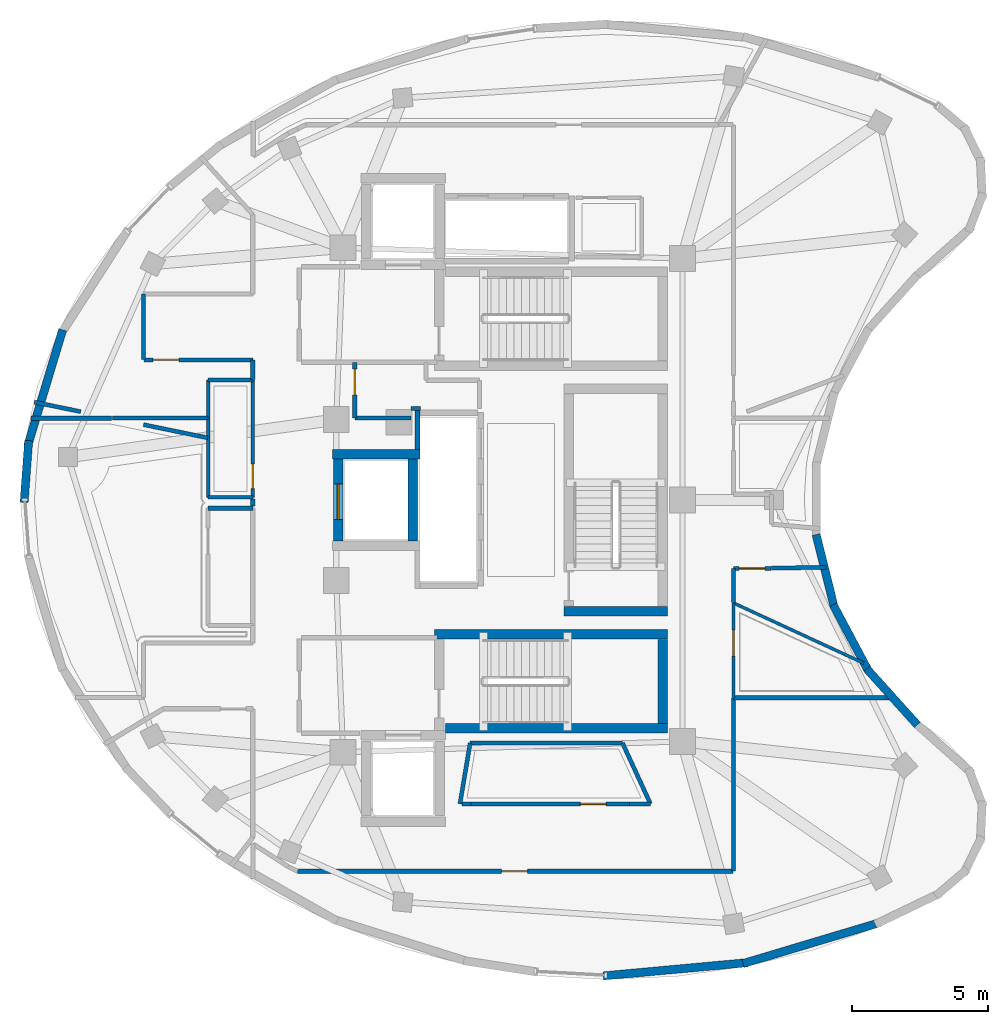
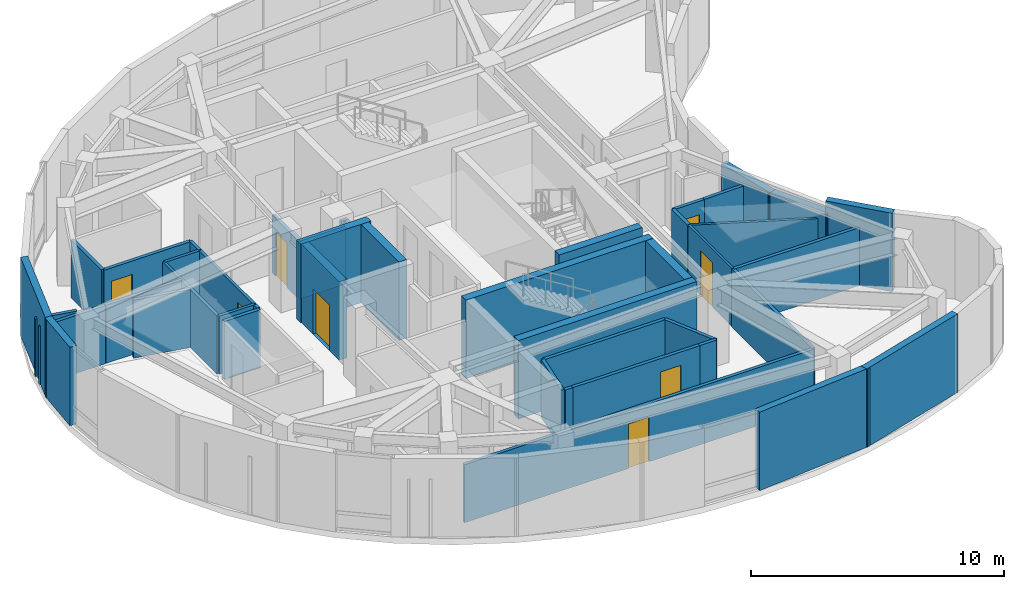
# One storey, part 4 of 8: 45 walls, 8 doors, 8 openings.
"""IFC4 building model written with IfcOpenShell, lengths in metres."""

from ifc_helpers import new_model, si_unit, direction, frame, frame_2d, origin, place, context, subcontext, project, spatial, rectangle, extrude, material, layer, layer_set, type_object, element, fill, save


model = new_model("IFC4")

# Units and contexts
model_context = context("Model", 3, precision=1e-05, world=origin(), true_north=direction((0.0, 1.0)))
body_context = subcontext(model_context, "Body", "Model", "MODEL_VIEW")
ifc_project = project(units=[si_unit("LENGTHUNIT", "METRE"), si_unit("AREAUNIT", "SQUARE_METRE"), si_unit("VOLUMEUNIT", "CUBIC_METRE"), si_unit("PLANEANGLEUNIT", "RADIAN"), si_unit("MASSUNIT", "GRAM", prefix="KILO")], contexts=[model_context])

# Site, building, storey
site_placement = place(None, origin())
site = spatial("IfcSite", under=ifc_project, at=site_placement, CompositionType="ELEMENT")
building_placement = place(site_placement, origin())
building = spatial("IfcBuilding", under=site, at=building_placement, Name="Korentha Bioscience Tower", CompositionType="ELEMENT")
storey_placement = place(building_placement, frame((0.0, 0.0, 318.60009765625)))
storey = spatial("IfcBuildingStorey", under=building, at=storey_placement, Name="L73", CompositionType="ELEMENT", Elevation=318.60009765625)

# Wall, opening, door
ifc_material_1 = material(Name="Double-Stud Acoustic Gypsum", Category="gypsum")
ifc_layer_1 = layer(ifc_material_1, 0.14990234375, Name="Double-Stud Acoustic Gypsum")
ifc_layer_set_1 = layer_set([ifc_layer_1], Name="Double-Stud Acoustic Gypsum (IW-L150)")
wall_type_1 = type_object("IfcWallType", Name="Acoustic Laboratory Partition Wall 150", PredefinedType="PARTITIONING", material=ifc_layer_set_1)
wall_1_placement = place(storey_placement, frame((35.60009765625, 15.860107421875, 0.0), z_axis=(0.0, 0.0, 1.0), x_axis=(-1.0, 0.0, 0.0)))
wall_1 = element("IfcWall", 1, at=wall_1_placement, inside=storey, type_object=wall_type_1, Name="L73 Biomechanical Motion Analysis Lab 02 Entrance Wall", PredefinedType="PARTITIONING", context=body_context, shape_type="SweptSolid", body=[
    extrude(rectangle(XDim=5.800048828125, YDim=0.14990234375, at=frame_2d((2.89990234375, 0.0))), origin(), (0.0, 0.0, 1.0), 2.7998046875),
])
opening_1_placement = place(wall_1_placement, frame((0.85009765625, 0.0, 0.0)))
opening_1 = element("IfcOpeningElement", 2, at=opening_1_placement, cuts=wall_1, Name="Opening ID-10R", PredefinedType="OPENING", context=body_context, shape_type="SweptSolid", body=[
    extrude(rectangle(XDim=0.949951171875, YDim=2.14990234375, at=frame_2d((0.47509765625, 1.074951171875))), frame((0.0, 0.08984375, 0.0), z_axis=(0.0, -1.0, 0.0), x_axis=(1.0, 0.0, 0.0)), (0.0, 0.0, 1.0), 0.1796875),
])
ifc_material_2 = material(Name="Phenolic Laminate Timber Core", Category="wood")
door_type_1 = type_object("IfcDoorType", Name="Laboratory Single Leaf Door 950x2150 Right", OperationType="SINGLE_SWING_RIGHT", PredefinedType="DOOR", material=ifc_material_2)
door_1_placement = place(opening_1_placement, origin())
door_1 = element("IfcDoor", 3, at=door_1_placement, inside=storey, type_object=door_type_1, Name="L73 Biomechanical Motion Analysis Lab 02 Door", OperationType="SINGLE_SWING_RIGHT", OverallHeight=2.14990234375, OverallWidth=0.949951171875, PredefinedType="DOOR", context=body_context, shape_type="SweptSolid", body=[
    extrude(rectangle(XDim=0.949951171875, YDim=2.14990234375, at=frame_2d((0.47509765625, 1.074951171875))), frame((0.0, 0.02490234375, 0.0), z_axis=(0.0, -1.0, 0.0), x_axis=(1.0, 0.0, 0.0)), (0.0, 0.0, 1.0), 0.050048828125),
])
fill(opening_1, door_1)

wall_2_placement = place(storey_placement, frame((23.43505859375, 13.389892578125, 0.0), z_axis=(0.0, 0.0, 1.0), x_axis=(1.0, 0.0, 0.0)))
wall_2 = element("IfcWall", 4, at=wall_2_placement, inside=storey, type_object=wall_type_1, Name="L73 Principal Investigator Office 03 Entrance Wall", PredefinedType="PARTITIONING", context=body_context, shape_type="SweptSolid", body=[
    extrude(rectangle(XDim=15.96484375, YDim=0.14990234375, at=frame_2d((7.982421875, 0.0))), origin(), (0.0, 0.0, 1.0), 2.7998046875),
])
opening_2_placement = place(wall_2_placement, frame((7.478271484375, 0.0, 0.0)))
opening_2 = element("IfcOpeningElement", 5, at=opening_2_placement, cuts=wall_2, Name="Opening ID-10L", PredefinedType="OPENING", context=body_context, shape_type="SweptSolid", body=[
    extrude(rectangle(XDim=0.949951171875, YDim=2.14990234375, at=frame_2d((0.47509765625, 1.074951171875))), frame((0.0, 0.08984375, 0.0), z_axis=(0.0, -1.0, 0.0), x_axis=(1.0, 0.0, 0.0)), (0.0, 0.0, 1.0), 0.1796875),
])
door_type_2 = type_object("IfcDoorType", Name="Laboratory Single Leaf Door 950x2150 Left", OperationType="SINGLE_SWING_LEFT", PredefinedType="DOOR", material=ifc_material_2)
door_2_placement = place(opening_2_placement, origin())
door_2 = element("IfcDoor", 6, at=door_2_placement, inside=storey, type_object=door_type_2, Name="L73 Principal Investigator Office 03 Door", OperationType="SINGLE_SWING_LEFT", OverallHeight=2.14990234375, OverallWidth=0.949951171875, PredefinedType="DOOR", context=body_context, shape_type="SweptSolid", body=[
    extrude(rectangle(XDim=0.949951171875, YDim=2.14990234375, at=frame_2d((0.47509765625, 1.074951171875))), frame((0.0, 0.02490234375, 0.0), z_axis=(0.0, -1.0, 0.0), x_axis=(1.0, 0.0, 0.0)), (0.0, 0.0, 1.0), 0.050048828125),
])
fill(opening_2, door_2)

wall_3_placement = place(storey_placement, frame((39.409912109375, 24.489990234375, 0.0), z_axis=(0.0, 0.0, 1.0), x_axis=(1.0, 0.0, 0.0)))
wall_3 = element("IfcWall", 7, at=wall_3_placement, inside=storey, type_object=wall_type_1, Name="L73 VIP Horizon Reception Suite 05 Entrance Wall", PredefinedType="PARTITIONING", context=body_context, shape_type="SweptSolid", body=[
    extrude(rectangle(XDim=1.39013671875, YDim=0.14990234375, at=frame_2d((0.695068359375, 0.0))), origin(), (0.0, 0.0, 1.0), 2.7998046875),
])
opening_3_placement = place(wall_3_placement, frame((0.2099609375, 0.0, 0.0)))
opening_3 = element("IfcOpeningElement", 8, at=opening_3_placement, cuts=wall_3, Name="Opening ID-10L", PredefinedType="OPENING", context=body_context, shape_type="SweptSolid", body=[
    extrude(rectangle(XDim=0.949951171875, YDim=2.14990234375, at=frame_2d((0.47509765625, 1.074951171875))), frame((0.0, 0.08984375, 0.0), z_axis=(0.0, -1.0, 0.0), x_axis=(1.0, 0.0, 0.0)), (0.0, 0.0, 1.0), 0.1796875),
])
door_3_placement = place(opening_3_placement, origin())
door_3 = element("IfcDoor", 9, at=door_3_placement, inside=storey, type_object=door_type_2, Name="L73 VIP Horizon Reception Suite 05 Door", OperationType="SINGLE_SWING_LEFT", OverallHeight=2.14990234375, OverallWidth=0.949951171875, PredefinedType="DOOR", context=body_context, shape_type="SweptSolid", body=[
    extrude(rectangle(XDim=0.949951171875, YDim=2.14990234375, at=frame_2d((0.47509765625, 1.074951171875))), frame((0.0, 0.02490234375, 0.0), z_axis=(0.0, -1.0, 0.0), x_axis=(1.0, 0.0, 0.0)), (0.0, 0.0, 1.0), 0.050048828125),
])
fill(opening_3, door_3)

wall_4_placement = place(storey_placement, frame((25.530029296875, 30.001953125, 0.0), z_axis=(0.0, 0.0, 1.0), x_axis=(0.0, 1.0, 0.0)))
wall_4 = element("IfcWall", 10, at=wall_4_placement, inside=storey, type_object=wall_type_1, Name="L73 Public Panoramic Observation Deck Gallery 09 Entrance Wall", PredefinedType="PARTITIONING", context=body_context, shape_type="SweptSolid", body=[
    extrude(rectangle(XDim=2.0380859375, YDim=0.14990234375, at=frame_2d((1.01904296875, 0.0))), origin(), (0.0, 0.0, 1.0), 2.7998046875),
])
opening_4_placement = place(wall_4_placement, frame((0.847900390625, 0.0, 0.0)))
opening_4 = element("IfcOpeningElement", 11, at=opening_4_placement, cuts=wall_4, Name="Opening ID-10L", PredefinedType="OPENING", context=body_context, shape_type="SweptSolid", body=[
    extrude(rectangle(XDim=0.949951171875, YDim=2.14990234375, at=frame_2d((0.47509765625, 1.074951171875))), frame((0.0, 0.08984375, 0.0), z_axis=(0.0, -1.0, 0.0), x_axis=(1.0, 0.0, 0.0)), (0.0, 0.0, 1.0), 0.1796875),
])
door_4_placement = place(opening_4_placement, origin())
door_4 = element("IfcDoor", 12, at=door_4_placement, inside=storey, type_object=door_type_2, Name="L73 Public Panoramic Observation Deck Gallery 09 Door", OperationType="SINGLE_SWING_LEFT", OverallHeight=2.14990234375, OverallWidth=0.949951171875, PredefinedType="DOOR", context=body_context, shape_type="SweptSolid", body=[
    extrude(rectangle(XDim=0.949951171875, YDim=2.14990234375, at=frame_2d((0.47509765625, 1.074951171875))), frame((0.0, 0.02490234375, 0.0), z_axis=(0.0, -1.0, 0.0), x_axis=(1.0, 0.0, 0.0)), (0.0, 0.0, 1.0), 0.050048828125),
])
fill(opening_4, door_4)

wall_5_placement = place(storey_placement, frame((17.800048828125, 32.139892578125, 0.0), z_axis=(0.0, 0.0, 1.0), x_axis=(1.0, 0.0, 0.0)))
wall_5 = element("IfcWall", 13, at=wall_5_placement, inside=storey, type_object=wall_type_1, Name="L73 Bioscience Discovery Exhibition Hall 10 Entrance Wall", PredefinedType="PARTITIONING", context=body_context, shape_type="SweptSolid", body=[
    extrude(rectangle(XDim=3.989990234375, YDim=0.14990234375, at=frame_2d((1.9951171875, 0.0))), origin(), (0.0, 0.0, 1.0), 2.7998046875),
])
opening_5_placement = place(wall_5_placement, frame((0.330078125, 0.0, 0.0)))
opening_5 = element("IfcOpeningElement", 14, at=opening_5_placement, cuts=wall_5, Name="Opening ID-10R", PredefinedType="OPENING", context=body_context, shape_type="SweptSolid", body=[
    extrude(rectangle(XDim=0.949951171875, YDim=2.14990234375, at=frame_2d((0.47509765625, 1.074951171875))), frame((0.0, 0.08984375, 0.0), z_axis=(0.0, -1.0, 0.0), x_axis=(1.0, 0.0, 0.0)), (0.0, 0.0, 1.0), 0.1796875),
])
door_5_placement = place(opening_5_placement, origin())
door_5 = element("IfcDoor", 15, at=door_5_placement, inside=storey, type_object=door_type_1, Name="L73 Bioscience Discovery Exhibition Hall 10 Door", OperationType="SINGLE_SWING_RIGHT", OverallHeight=2.14990234375, OverallWidth=0.949951171875, PredefinedType="DOOR", context=body_context, shape_type="SweptSolid", body=[
    extrude(rectangle(XDim=0.949951171875, YDim=2.14990234375, at=frame_2d((0.47509765625, 1.074951171875))), frame((0.0, 0.02490234375, 0.0), z_axis=(0.0, -1.0, 0.0), x_axis=(1.0, 0.0, 0.0)), (0.0, 0.0, 1.0), 0.050048828125),
])
fill(opening_5, door_5)

# Walls
wall_6_placement = place(storey_placement, frame((29.7607421875, 18.090087890625, 0.0), z_axis=(0.0, 0.0, 1.0), x_axis=(1.0, 0.0, 0.0)))
element("IfcWall", 16, at=wall_6_placement, inside=storey, type_object=wall_type_1, Name="L73 Interior Partition 025", PredefinedType="PARTITIONING", context=body_context, shape_type="SweptSolid", body=[
    extrude(rectangle(XDim=5.5849609375, YDim=0.14990234375, at=frame_2d((2.79248046875, 0.0))), origin(), (0.0, 0.0, 1.0), 2.7998046875),
])
wall_7_placement = place(storey_placement, frame((35.345703125, 18.090087890625, 0.0), z_axis=(0.0, 0.0, 1.0), x_axis=(0.417853067345, -0.908514619646, 0.0)))
element("IfcWall", 17, at=wall_7_placement, inside=storey, type_object=wall_type_1, Name="L73 Interior Partition 026", PredefinedType="PARTITIONING", context=body_context, shape_type="SweptSolid", body=[
    extrude(rectangle(XDim=2.45458984375, YDim=0.14990234375, at=frame_2d((1.227294921875, 0.0))), origin(), (0.0, 0.0, 1.0), 2.7998046875),
])
wall_8_placement = place(storey_placement, frame((36.371337890625, 15.860107421875, 0.0), z_axis=(0.0, 0.0, 1.0), x_axis=(-1.0, 0.0, 0.0)))
element("IfcWall", 18, at=wall_8_placement, inside=storey, type_object=wall_type_1, Name="L73 Interior Partition 027", PredefinedType="PARTITIONING", context=body_context, shape_type="SweptSolid", body=[
    extrude(rectangle(XDim=0.771240234375, YDim=0.14990234375, at=frame_2d((0.3857421875, 0.0))), origin(), (0.0, 0.0, 1.0), 2.7998046875),
])
wall_9_placement = place(storey_placement, frame((29.800048828125, 15.860107421875, 0.0), z_axis=(0.0, 0.0, 1.0), x_axis=(-1.0, 0.0, 0.0)))
element("IfcWall", 19, at=wall_9_placement, inside=storey, type_object=wall_type_1, Name="L73 Interior Partition 028", PredefinedType="PARTITIONING", context=body_context, shape_type="SweptSolid", body=[
    extrude(rectangle(XDim=0.33349609375, YDim=0.14990234375, at=frame_2d((0.166748046875, 0.0))), origin(), (0.0, 0.0, 1.0), 2.7998046875),
])
wall_10_placement = place(storey_placement, frame((29.387451171875, 15.860107421875, 0.0), z_axis=(0.0, 0.0, 1.0), x_axis=(0.165099347881, 0.986276941497, 0.0)))
element("IfcWall", 20, at=wall_10_placement, inside=storey, type_object=wall_type_1, Name="L73 Interior Partition 029", PredefinedType="PARTITIONING", context=body_context, shape_type="SweptSolid", body=[
    extrude(rectangle(XDim=2.260986328125, YDim=0.14990234375, at=frame_2d((1.13037109375, 0.0))), origin(), (0.0, 0.0, 1.0), 2.7998046875),
])
wall_11_placement = place(storey_placement, frame((39.409912109375, 13.39990234375, 0.0), z_axis=(0.0, 0.0, 1.0), x_axis=(0.0, 1.0, 0.0)))
element("IfcWall", 21, at=wall_11_placement, inside=storey, type_object=wall_type_1, Name="L73 Interior Partition 033", PredefinedType="PARTITIONING", context=body_context, shape_type="SweptSolid", body=[
    extrude(rectangle(XDim=6.34814453125, YDim=0.14990234375, at=frame_2d((3.174072265625, 0.0))), origin(), (0.0, 0.0, 1.0), 2.7998046875),
])
wall_12_placement = place(storey_placement, frame((39.409912109375, 19.748046875, 0.0), z_axis=(0.0, 0.0, 1.0), x_axis=(1.0, 0.0, 0.0)))
element("IfcWall", 22, at=wall_12_placement, inside=storey, type_object=wall_type_1, Name="L73 Interior Partition 034", PredefinedType="PARTITIONING", context=body_context, shape_type="SweptSolid", body=[
    extrude(rectangle(XDim=5.824951171875, YDim=0.14990234375, at=frame_2d((2.91259765625, 0.0))), origin(), (0.0, 0.0, 1.0), 2.7998046875),
])
wall_13_placement = place(storey_placement, frame((39.409912109375, 23.2373046875, 0.0), z_axis=(0.0, 0.0, 1.0), x_axis=(0.0, 1.0, 0.0)))
element("IfcWall", 23, at=wall_13_placement, inside=storey, type_object=wall_type_1, Name="L73 Interior Partition 036", PredefinedType="PARTITIONING", context=body_context, shape_type="SweptSolid", body=[
    extrude(rectangle(XDim=1.252685546875, YDim=0.14990234375, at=frame_2d((0.62646484375, 0.0))), origin(), (0.0, 0.0, 1.0), 2.7998046875),
])
wall_14_placement = place(storey_placement, frame((40.81005859375, 24.5, 0.0), z_axis=(0.0, 0.0, 1.0), x_axis=(0.999867024354, 0.016307470942, 0.0)))
element("IfcWall", 24, at=wall_14_placement, inside=storey, type_object=wall_type_1, Name="L73 Interior Partition 038", PredefinedType="PARTITIONING", context=body_context, shape_type="SweptSolid", body=[
    extrude(rectangle(XDim=2.006103515625, YDim=0.14990234375, at=frame_2d((1.0029296875, 0.0))), origin(), (0.0, 0.0, 1.0), 2.7998046875),
])
wall_15_placement = place(storey_placement, frame((27.93408203125, 30.360107421875, 0.0), z_axis=(0.0, 0.0, 1.0), x_axis=(-1.0, 0.0, 0.0)))
element("IfcWall", 25, at=wall_15_placement, inside=storey, type_object=wall_type_1, Name="L73 Interior Partition 053", PredefinedType="PARTITIONING", context=body_context, shape_type="SweptSolid", body=[
    extrude(rectangle(XDim=0.333984375, YDim=0.14990234375, at=frame_2d((0.1669921875, 0.0))), origin(), (0.0, 0.0, 1.0), 2.7998046875),
])
wall_16_placement = place(storey_placement, frame((27.590087890625, 30.001953125, 0.0), z_axis=(0.0, 0.0, 1.0), x_axis=(-1.0, 0.0, 0.0)))
element("IfcWall", 26, at=wall_16_placement, inside=storey, type_object=wall_type_1, Name="L73 Interior Partition 054", PredefinedType="PARTITIONING", context=body_context, shape_type="SweptSolid", body=[
    extrude(rectangle(XDim=2.06005859375, YDim=0.14990234375, at=frame_2d((1.030029296875, 0.0))), origin(), (0.0, 0.0, 1.0), 2.7998046875),
])
wall_17_placement = place(storey_placement, frame((13.65478515625, 29.998046875, 0.0), z_axis=(0.0, 0.0, 1.0), x_axis=(1.0, 0.0, 0.0)))
element("IfcWall", 27, at=wall_17_placement, inside=storey, type_object=wall_type_1, Name="L73 Interior Partition 055", PredefinedType="PARTITIONING", context=body_context, shape_type="SweptSolid", body=[
    extrude(rectangle(XDim=2.960205078125, YDim=0.14990234375, at=frame_2d((1.47998046875, 0.0))), origin(), (0.0, 0.0, 1.0), 2.7998046875),
])
wall_18_placement = place(storey_placement, frame((15.4853515625, 30.238037109375, 0.0), z_axis=(0.0, 0.0, 1.0), x_axis=(-0.979592080044, 0.200995912185, 0.0)))
element("IfcWall", 28, at=wall_18_placement, inside=storey, type_object=wall_type_1, Name="L73 Interior Partition 056", PredefinedType="PARTITIONING", context=body_context, shape_type="SweptSolid", body=[
    extrude(rectangle(XDim=1.740478515625, YDim=0.14990234375, at=frame_2d((0.8701171875, 0.0))), origin(), (0.0, 0.0, 1.0), 2.7998046875),
])
wall_19_placement = place(storey_placement, frame((17.7900390625, 34.550048828125, 0.0), z_axis=(0.0, 0.0, 1.0), x_axis=(0.0, -1.0, 0.0)))
element("IfcWall", 29, at=wall_19_placement, inside=storey, type_object=wall_type_1, Name="L73 Interior Partition 060", PredefinedType="PARTITIONING", context=body_context, shape_type="SweptSolid", body=[
    extrude(rectangle(XDim=2.400146484375, YDim=0.14990234375, at=frame_2d((1.2001953125, 0.0))), origin(), (0.0, 0.0, 1.0), 2.7998046875),
])
wall_20_placement = place(storey_placement, frame((21.7900390625, 32.139892578125, 0.0), z_axis=(0.0, 0.0, 1.0), x_axis=(0.0, -1.0, 0.0)))
element("IfcWall", 30, at=wall_20_placement, inside=storey, type_object=wall_type_1, Name="L73 Interior Partition 061", PredefinedType="PARTITIONING", context=body_context, shape_type="SweptSolid", body=[
    extrude(rectangle(XDim=0.72998046875, YDim=0.14990234375, at=frame_2d((0.364990234375, 0.0))), origin(), (0.0, 0.0, 1.0), 2.7998046875),
])
wall_21_placement = place(storey_placement, frame((20.139892578125, 30.001953125, 0.0), z_axis=(0.0, 0.0, 1.0), x_axis=(-1.0, 0.0, 0.0)))
element("IfcWall", 31, at=wall_21_placement, inside=storey, type_object=wall_type_1, Name="L73 Interior Partition 062", PredefinedType="PARTITIONING", context=body_context, shape_type="SweptSolid", body=[
    extrude(rectangle(XDim=3.4853515625, YDim=0.14990234375, at=frame_2d((1.74267578125, 0.0))), origin(), (0.0, 0.0, 1.0), 2.7998046875),
])
wall_22_placement = place(storey_placement, frame((17.7841796875, 29.761962890625, 0.0), z_axis=(0.0, 0.0, 1.0), x_axis=(0.979588350518, -0.201014087887, 0.0)))
element("IfcWall", 32, at=wall_22_placement, inside=storey, type_object=wall_type_1, Name="L73 Interior Partition 063", PredefinedType="PARTITIONING", context=body_context, shape_type="SweptSolid", body=[
    extrude(rectangle(XDim=2.40478515625, YDim=0.14990234375, at=frame_2d((1.202392578125, 0.0))), origin(), (0.0, 0.0, 1.0), 2.7998046875),
])
wall_23_placement = place(storey_placement, frame((21.7900390625, 27.031982421875, 0.0), z_axis=(0.0, 0.0, 1.0), x_axis=(0.0, -1.0, 0.0)))
element("IfcWall", 33, at=wall_23_placement, inside=storey, type_object=wall_type_1, Name="L73 Interior Partition 064", PredefinedType="PARTITIONING", context=body_context, shape_type="SweptSolid", body=[
    extrude(rectangle(XDim=0.2490234375, YDim=0.14990234375, at=frame_2d((0.12451171875, 0.0))), origin(), (0.0, 0.0, 1.0), 2.7998046875),
])

# Wall, opening, door
ifc_material_3 = material(Name="Fire-Rated Framed Glass", Category="glass")
ifc_layer_2 = layer(ifc_material_3, 0.110107421875, Name="Fire-Rated Framed Glass")
ifc_layer_set_2 = layer_set([ifc_layer_2], Name="Fire-Rated Framed Glass (IW-G110)")
wall_type_2 = type_object("IfcWallType", Name="Demountable Glazed Office Partition 110", PredefinedType="MOVABLE", material=ifc_layer_set_2)
wall_24_placement = place(storey_placement, frame((39.409912109375, 19.758056640625, 0.0), z_axis=(0.0, 0.0, 1.0), x_axis=(0.0, 1.0, 0.0)))
wall_24 = element("IfcWall", 34, at=wall_24_placement, inside=storey, type_object=wall_type_2, Name="L73 Research Colloquium Seminar Room 04 Entrance Wall", PredefinedType="MOVABLE", context=body_context, shape_type="SweptSolid", body=[
    extrude(rectangle(XDim=3.46923828125, YDim=0.110107421875, at=frame_2d((1.734619140625, 0.0))), origin(), (0.0, 0.0, 1.0), 2.7998046875),
])
opening_6_placement = place(wall_24_placement, frame((1.52001953125, 0.0, 0.0)))
opening_6 = element("IfcOpeningElement", 35, at=opening_6_placement, cuts=wall_24, Name="Opening ID-10R", PredefinedType="OPENING", context=body_context, shape_type="SweptSolid", body=[
    extrude(rectangle(XDim=0.949951171875, YDim=2.14990234375, at=frame_2d((0.47509765625, 1.074951171875))), frame((0.0, 0.06982421875, 0.0), z_axis=(0.0, -1.0, 0.0), x_axis=(1.0, 0.0, 0.0)), (0.0, 0.0, 1.0), 0.139892578125),
])
door_6_placement = place(opening_6_placement, origin())
door_6 = element("IfcDoor", 36, at=door_6_placement, inside=storey, type_object=door_type_1, Name="L73 Research Colloquium Seminar Room 04 Door", OperationType="SINGLE_SWING_RIGHT", OverallHeight=2.14990234375, OverallWidth=0.949951171875, PredefinedType="DOOR", context=body_context, shape_type="SweptSolid", body=[
    extrude(rectangle(XDim=0.949951171875, YDim=2.14990234375, at=frame_2d((0.47509765625, 1.074951171875))), frame((0.0, 0.02490234375, 0.0), z_axis=(0.0, -1.0, 0.0), x_axis=(1.0, 0.0, 0.0)), (0.0, 0.0, 1.0), 0.050048828125),
])
fill(opening_6, door_6)

# Walls
wall_25_placement = place(storey_placement, frame((39.409912109375, 23.227294921875, 0.0), z_axis=(0.0, 0.0, 1.0), x_axis=(0.90776669241, -0.419475424968, 0.0)))
element("IfcWall", 37, at=wall_25_placement, inside=storey, type_object=wall_type_2, Name="L73 Interior Partition 035", PredefinedType="MOVABLE", context=body_context, shape_type="SweptSolid", body=[
    extrude(rectangle(XDim=5.268310546875, YDim=0.110107421875, at=frame_2d((2.63427734375, 0.0))), origin(), (0.0, 0.0, 1.0), 2.7998046875),
])
ifc_material_4 = material(Name="Gypsum-Clad Steel Stud", Category="steel")
ifc_layer_3 = layer(ifc_material_4, 0.159912109375, Name="Gypsum-Clad Steel Stud")
ifc_layer_set_3 = layer_set([ifc_layer_3], Name="Gypsum-Clad Steel Stud (IW-C160)")
wall_type_3 = type_object("IfcWallType", Name="Fire-Rated Corridor Partition Wall 160", PredefinedType="PARTITIONING", material=ifc_layer_set_3)
wall_26_placement = place(storey_placement, frame((20.14990234375, 26.699951171875, 0.0), z_axis=(0.0, 0.0, 1.0), x_axis=(1.0, 0.0, 0.0)))
element("IfcWall", 38, at=wall_26_placement, inside=storey, type_object=wall_type_3, Name="L73 Interior Partition 018", PredefinedType="PARTITIONING", context=body_context, shape_type="SweptSolid", body=[
    extrude(rectangle(XDim=1.64013671875, YDim=0.159912109375, at=frame_2d((0.820068359375, 0.0))), origin(), (0.0, 0.0, 1.0), 2.7998046875),
])
ifc_material_5 = material(Name="Honed Limestone Precast Concrete C40", Category="masonry")
ifc_layer_4 = layer(ifc_material_5, 0.300048828125, Name="Honed Limestone Precast Concrete C40")
ifc_layer_set_4 = layer_set([ifc_layer_4], Name="Honed Limestone Precast Concrete C40 (EW-ST300)")
wall_type_4 = type_object("IfcWallType", Name="Honed Limestone Cavity Spandrel Wall 300", PredefinedType="STANDARD", material=ifc_layer_set_4)
wall_27_placement = place(storey_placement, frame((14.820556640625, 33.241455078125, 0.0), z_axis=(0.0, 0.0, 1.0), x_axis=(-0.288720187326, -0.95741352269, 0.0)))
element("IfcWall", 39, at=wall_27_placement, inside=storey, type_object=wall_type_4, Name="L73 Limestone Perimeter Closure Wall 16", PredefinedType="STANDARD", context=body_context, shape_type="SweptSolid", body=[
    extrude(rectangle(XDim=4.4384765625, YDim=0.300048828125, at=frame_2d((2.21923828125, 0.0))), origin(), (0.0, 0.0, 1.0), 3.789794921875),
])
wall_28_placement = place(storey_placement, frame((13.573486328125, 29.17822265625, 0.0), z_axis=(0.0, 0.0, 1.0), x_axis=(-0.073741209899, -0.997277410735, 0.0)))
element("IfcWall", 40, at=wall_28_placement, inside=storey, type_object=wall_type_4, Name="L73 Limestone Perimeter Closure Wall 18", PredefinedType="STANDARD", context=body_context, shape_type="SweptSolid", body=[
    extrude(rectangle(XDim=2.2744140625, YDim=0.300048828125, at=frame_2d((1.13720703125, 0.0))), origin(), (0.0, 0.0, 1.0), 3.789794921875),
])
wall_29_placement = place(storey_placement, frame((34.6357421875, 9.550537109375, 0.0), z_axis=(0.0, 0.0, 1.0), x_axis=(0.995809155395, 0.091455595959, 0.0)))
element("IfcWall", 41, at=wall_29_placement, inside=storey, type_object=wall_type_4, Name="L73 Limestone Perimeter Closure Wall 32", PredefinedType="STANDARD", context=body_context, shape_type="SweptSolid", body=[
    extrude(rectangle(XDim=5.33642578125, YDim=0.300048828125, at=frame_2d((2.668212890625, 0.0))), origin(), (0.0, 0.0, 1.0), 3.789794921875),
])
wall_30_placement = place(storey_placement, frame((39.76611328125, 10.003173828125, 0.0), z_axis=(0.0, 0.0, 1.0), x_axis=(0.957960798093, 0.286899127423, 0.0)))
element("IfcWall", 42, at=wall_30_placement, inside=storey, type_object=wall_type_4, Name="L73 Limestone Perimeter Closure Wall 34", PredefinedType="STANDARD", context=body_context, shape_type="SweptSolid", body=[
    extrude(rectangle(XDim=5.240966796875, YDim=0.300048828125, at=frame_2d((2.62060546875, 0.0))), origin(), (0.0, 0.0, 1.0), 3.789794921875),
])
wall_31_placement = place(storey_placement, frame((46.159423828125, 18.751708984375, 0.0), z_axis=(0.0, 0.0, 1.0), x_axis=(-0.669091119289, 0.743180377895, 0.0)))
element("IfcWall", 43, at=wall_31_placement, inside=storey, type_object=wall_type_4, Name="L73 Limestone Perimeter Closure Wall 43", PredefinedType="STANDARD", context=body_context, shape_type="SweptSolid", body=[
    extrude(rectangle(XDim=2.774658203125, YDim=0.300048828125, at=frame_2d((1.38720703125, 0.0))), origin(), (0.0, 0.0, 1.0), 3.789794921875),
])
wall_32_placement = place(storey_placement, frame((44.37451171875, 20.71142578125, 0.0), z_axis=(0.0, 0.0, 1.0), x_axis=(-0.469496211135, 0.882934486658, 0.0)))
element("IfcWall", 44, at=wall_32_placement, inside=storey, type_object=wall_type_4, Name="L73 Limestone Perimeter Closure Wall 45", PredefinedType="STANDARD", context=body_context, shape_type="SweptSolid", body=[
    extrude(rectangle(XDim=2.774169921875, YDim=0.300048828125, at=frame_2d((1.38720703125, 0.0))), origin(), (0.0, 0.0, 1.0), 3.23193359375),
])
wall_33_placement = place(storey_placement, frame((43.11669921875, 23.044677734375, 0.0), z_axis=(0.0, 0.0, 1.0), x_axis=(-0.241914392704, 0.970297596927, 0.0)))
element("IfcWall", 45, at=wall_33_placement, inside=storey, type_object=wall_type_4, Name="L73 Limestone Perimeter Closure Wall 47", PredefinedType="STANDARD", context=body_context, shape_type="SweptSolid", body=[
    extrude(rectangle(XDim=2.7744140625, YDim=0.300048828125, at=frame_2d((1.38720703125, 0.0))), origin(), (0.0, 0.0, 1.0), 3.23193359375),
])
ifc_material_6 = material(Name="Autoclaved Aerated Concrete Block C25", Category="concrete")
ifc_layer_5 = layer(ifc_material_6, 0.199951171875, Name="Autoclaved Aerated Concrete Block C25")
ifc_layer_set_5 = layer_set([ifc_layer_5], Name="Autoclaved Aerated Concrete Block C25 (IW-S200)")
wall_type_5 = type_object("IfcWallType", Name="Lift and Riser Shaft Enclosure Wall 200", PredefinedType="PARTITIONING", material=ifc_layer_set_5)
wall_34_placement = place(storey_placement, frame((27.830078125, 28.85888671875, 0.0), z_axis=(0.0, 0.0, 1.0), x_axis=(0.0, 1.0, 0.0)))
element("IfcWall", 46, at=wall_34_placement, inside=storey, type_object=wall_type_5, Name="L73 Lift Bank HIGH Shaft Wall -XN", PredefinedType="PARTITIONING", context=body_context, shape_type="SweptSolid", body=[
    extrude(rectangle(XDim=1.441162109375, YDim=0.199951171875, at=frame_2d((0.720703125, 0.0))), origin(), (0.0, 0.0, 1.0), 2.7998046875),
])
ifc_material_7 = material(Name="Concrete C50", Category="concrete")
ifc_layer_6 = layer(ifc_material_7, 0.35009765625, Name="Concrete C50")
ifc_layer_set_6 = layer_set([ifc_layer_6], Name="Concrete C50 (CW-C50)")
wall_type_6 = type_object("IfcWallType", Name="Upper Core Shear Wall 350", PredefinedType="SHEAR", material=ifc_layer_set_6)
wall_35_placement = place(storey_placement, frame((28.85205078125, 18.625, 0.0), z_axis=(0.0, 0.0, 1.0), x_axis=(1.0, 0.0, 0.0)))
element("IfcWall", 47, at=wall_35_placement, inside=storey, type_object=wall_type_6, Name="L73 Core Shear Wall ST2-S", PredefinedType="SHEAR", context=body_context, shape_type="SweptSolid", body=[
    extrude(rectangle(XDim=8.14794921875, YDim=0.35009765625, at=frame_2d((4.073974609375, 0.0))), origin(), (0.0, 0.0, 1.0), 3.789794921875),
])
wall_36_placement = place(storey_placement, frame((28.449951171875, 22.074951171875, 0.0), z_axis=(0.0, 0.0, 1.0), x_axis=(1.0, 0.0, 0.0)))
element("IfcWall", 48, at=wall_36_placement, inside=storey, type_object=wall_type_6, Name="L73 Core Shear Wall ST2-N", PredefinedType="SHEAR", context=body_context, shape_type="SweptSolid", body=[
    extrude(rectangle(XDim=8.550048828125, YDim=0.35009765625, at=frame_2d((4.27490234375, 0.0))), origin(), (0.0, 0.0, 1.0), 3.789794921875),
])
wall_37_placement = place(storey_placement, frame((36.824951171875, 18.81005859375, 0.0), z_axis=(0.0, 0.0, 1.0), x_axis=(0.0, 1.0, 0.0)))
element("IfcWall", 49, at=wall_37_placement, inside=storey, type_object=wall_type_6, Name="L73 Core Shear Wall ST2-E", PredefinedType="SHEAR", context=body_context, shape_type="SweptSolid", body=[
    extrude(rectangle(XDim=3.079833984375, YDim=0.35009765625, at=frame_2d((1.5400390625, 0.0))), origin(), (0.0, 0.0, 1.0), 3.789794921875),
])
wall_38_placement = place(storey_placement, frame((33.199951171875, 22.925048828125, 0.0), z_axis=(0.0, 0.0, 1.0), x_axis=(1.0, 0.0, 0.0)))
element("IfcWall", 50, at=wall_38_placement, inside=storey, type_object=wall_type_6, Name="L73 Core Shear Wall ST3-S", PredefinedType="SHEAR", context=body_context, shape_type="SweptSolid", body=[
    extrude(rectangle(XDim=3.800048828125, YDim=0.35009765625, at=frame_2d((1.89990234375, 0.0))), origin(), (0.0, 0.0, 1.0), 3.789794921875),
])
wall_39_placement = place(storey_placement, frame((24.719970703125, 28.679931640625, 0.0), z_axis=(0.0, 0.0, 1.0), x_axis=(1.0, 0.0, 0.0)))
element("IfcWall", 51, at=wall_39_placement, inside=storey, type_object=wall_type_6, Name="L73 Core Shear Wall SVL1-N", PredefinedType="SHEAR", context=body_context, shape_type="SweptSolid", body=[
    extrude(rectangle(XDim=3.2099609375, YDim=0.35009765625, at=frame_2d((1.60498046875, 0.0))), origin(), (0.0, 0.0, 1.0), 3.789794921875),
])

# Wall, opening, door
wall_40_placement = place(storey_placement, frame((24.919921875, 25.4970703125, 0.0), z_axis=(0.0, 0.0, 1.0), x_axis=(0.0, 1.0, 0.0)))
wall_40 = element("IfcWall", 52, at=wall_40_placement, inside=storey, type_object=wall_type_6, Name="L73 Core Shear Wall SVL1-W", PredefinedType="SHEAR", context=body_context, shape_type="SweptSolid", body=[
    extrude(rectangle(XDim=3.005859375, YDim=0.35009765625, at=frame_2d((1.5029296875, 0.0))), origin(), (0.0, 0.0, 1.0), 3.789794921875),
])
opening_7_placement = place(wall_40_placement, frame((0.7900390625, 0.0, 0.0)))
opening_7 = element("IfcOpeningElement", 53, at=opening_7_placement, cuts=wall_40, Name="Opening LD-13", PredefinedType="OPENING", context=body_context, shape_type="SweptSolid", body=[
    extrude(rectangle(XDim=1.300048828125, YDim=2.199951171875, at=frame_2d((0.64990234375, 1.10009765625))), frame((0.0, 0.18994140625, 0.0), z_axis=(0.0, -1.0, 0.0), x_axis=(1.0, 0.0, 0.0)), (0.0, 0.0, 1.0), 0.3798828125),
])
ifc_material_8 = material(Name="Brushed Stainless Steel 316", Category="steel")
door_type_3 = type_object("IfcDoorType", Name="Service & Firefighting Lift Landing Door 1300x2300", OperationType="DOUBLE_DOOR_SLIDING", PredefinedType="DOOR", material=ifc_material_8)
door_7_placement = place(opening_7_placement, origin())
door_7 = element("IfcDoor", 54, at=door_7_placement, inside=storey, type_object=door_type_3, Name="L73 SVL-1 Sliding Lift Landing Door", OperationType="DOUBLE_DOOR_SLIDING", OverallHeight=2.199951171875, OverallWidth=1.300048828125, PredefinedType="DOOR", context=body_context, shape_type="SweptSolid", body=[
    extrude(rectangle(XDim=1.300048828125, YDim=2.199951171875, at=frame_2d((0.64990234375, 1.10009765625))), frame((0.0, 0.02490234375, 0.0), z_axis=(0.0, -1.0, 0.0), x_axis=(1.0, 0.0, 0.0)), (0.0, 0.0, 1.0), 0.050048828125),
])
fill(opening_7, door_7)

# Wall
wall_41_placement = place(storey_placement, frame((27.64990234375, 25.4970703125, 0.0), z_axis=(0.0, 0.0, 1.0), x_axis=(0.0, 1.0, 0.0)))
element("IfcWall", 55, at=wall_41_placement, inside=storey, type_object=wall_type_6, Name="L73 Core Shear Wall SVL1-E", PredefinedType="SHEAR", context=body_context, shape_type="SweptSolid", body=[
    extrude(rectangle(XDim=3.005859375, YDim=0.35009765625, at=frame_2d((1.5029296875, 0.0))), origin(), (0.0, 0.0, 1.0), 3.789794921875),
])

# Wall, opening, door
ifc_material_9 = material(Name="Cement-Board Steel Stud", Category="steel")
ifc_layer_7 = layer(ifc_material_9, 0.1298828125, Name="Cement-Board Steel Stud")
ifc_layer_set_7 = layer_set([ifc_layer_7], Name="Cement-Board Steel Stud (IW-W130)")
wall_type_7 = type_object("IfcWallType", Name="Wet-Area Moisture-Resistant Partition 130", PredefinedType="PARTITIONING", material=ifc_layer_set_7)
wall_42_placement = place(storey_placement, frame((21.7900390625, 31.39990234375, 0.0), z_axis=(0.0, 0.0, 1.0), x_axis=(0.0, -1.0, 0.0)))
wall_42 = element("IfcWall", 56, at=wall_42_placement, inside=storey, type_object=wall_type_7, Name="L73 Reclaimed Bank-2 Accessible Staff WC Entrance Wall", PredefinedType="PARTITIONING", context=body_context, shape_type="SweptSolid", body=[
    extrude(rectangle(XDim=4.2998046875, YDim=0.1298828125, at=frame_2d((2.14990234375, 0.0))), origin(), (0.0, 0.0, 1.0), 2.7998046875),
])
opening_8_placement = place(wall_42_placement, frame((3.080078125, 0.0, 0.0)))
opening_8 = element("IfcOpeningElement", 57, at=opening_8_placement, cuts=wall_42, Name="Opening ID-09R", PredefinedType="OPENING", context=body_context, shape_type="SweptSolid", body=[
    extrude(rectangle(XDim=0.89990234375, YDim=2.14990234375, at=frame_2d((0.449951171875, 1.074951171875))), frame((0.0, 0.079833984375, 0.0), z_axis=(0.0, -1.0, 0.0), x_axis=(1.0, 0.0, 0.0)), (0.0, 0.0, 1.0), 0.15966796875),
])
ifc_material_10 = material(Name="Moisture-Resistant HPL Leaf", Category="wood")
door_type_4 = type_object("IfcDoorType", Name="Restroom & Accessible WC Door 900x2150 Right", OperationType="SINGLE_SWING_RIGHT", PredefinedType="DOOR", material=ifc_material_10)
door_8_placement = place(opening_8_placement, origin())
door_8 = element("IfcDoor", 58, at=door_8_placement, inside=storey, type_object=door_type_4, Name="L73 Reclaimed Bank-2 Accessible Staff WC Door", OperationType="SINGLE_SWING_RIGHT", OverallHeight=2.14990234375, OverallWidth=0.89990234375, PredefinedType="DOOR", context=body_context, shape_type="SweptSolid", body=[
    extrude(rectangle(XDim=0.89990234375, YDim=2.14990234375, at=frame_2d((0.449951171875, 1.074951171875))), frame((0.0, 0.02490234375, 0.0), z_axis=(0.0, -1.0, 0.0), x_axis=(1.0, 0.0, 0.0)), (0.0, 0.0, 1.0), 0.050048828125),
])
fill(opening_8, door_8)

# Walls
wall_43_placement = place(storey_placement, frame((21.7900390625, 27.10009765625, 0.0), z_axis=(0.0, 0.0, 1.0), x_axis=(-1.0, 0.0, 0.0)))
element("IfcWall", 59, at=wall_43_placement, inside=storey, type_object=wall_type_7, Name="L73 Interior Partition 019", PredefinedType="PARTITIONING", context=body_context, shape_type="SweptSolid", body=[
    extrude(rectangle(XDim=1.64013671875, YDim=0.1298828125, at=frame_2d((0.820068359375, 0.0))), origin(), (0.0, 0.0, 1.0), 2.7998046875),
])
wall_44_placement = place(storey_placement, frame((20.14990234375, 27.10009765625, 0.0), z_axis=(0.0, 0.0, 1.0), x_axis=(0.0, 1.0, 0.0)))
element("IfcWall", 60, at=wall_44_placement, inside=storey, type_object=wall_type_7, Name="L73 Interior Partition 020", PredefinedType="PARTITIONING", context=body_context, shape_type="SweptSolid", body=[
    extrude(rectangle(XDim=4.2998046875, YDim=0.1298828125, at=frame_2d((2.14990234375, 0.0))), origin(), (0.0, 0.0, 1.0), 2.7998046875),
])
wall_45_placement = place(storey_placement, frame((20.14990234375, 31.39990234375, 0.0), z_axis=(0.0, 0.0, 1.0), x_axis=(1.0, 0.0, 0.0)))
element("IfcWall", 61, at=wall_45_placement, inside=storey, type_object=wall_type_7, Name="L73 Interior Partition 021", PredefinedType="PARTITIONING", context=body_context, shape_type="SweptSolid", body=[
    extrude(rectangle(XDim=1.64013671875, YDim=0.1298828125, at=frame_2d((0.820068359375, 0.0))), origin(), (0.0, 0.0, 1.0), 2.7998046875),
])

save(model, "model.ifc")
